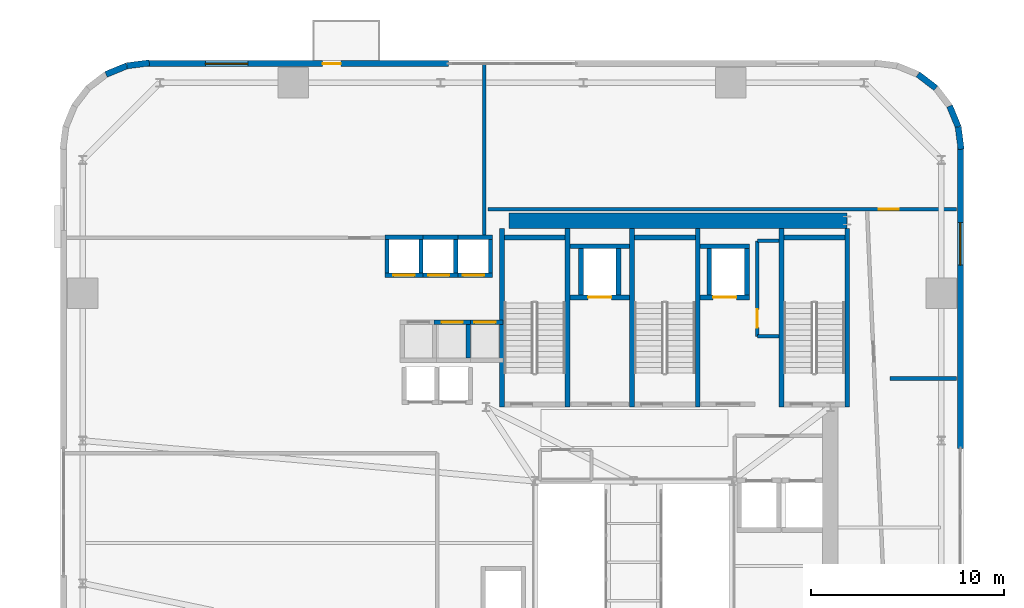
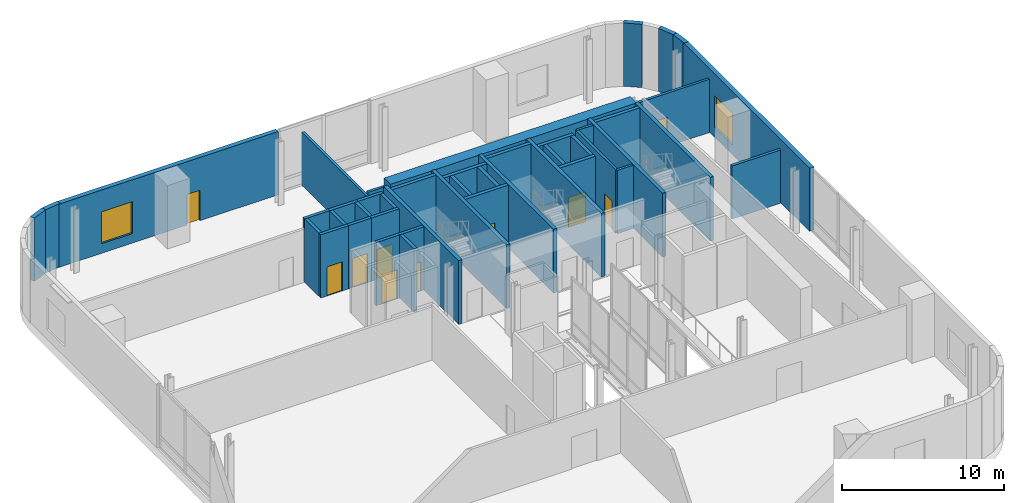
# One storey, part 9 of 13: 44 walls, 10 doors, 2 windows, 12 openings.
"""IFC4 building model written with IfcOpenShell, lengths in metres."""

from ifc_helpers import new_model, si_unit, direction, frame, frame_2d, origin, place, context, subcontext, project, spatial, rectangle, extrude, source, transform, mapped, material, layer, layer_set, type_object, element, fill, save


model = new_model("IFC4")

# Units and contexts
model_context = context("Model", 3, precision=1e-05, world=origin(), true_north=direction((0.0, 1.0)))
body_context = subcontext(model_context, "Body", "Model", "MODEL_VIEW")
ifc_project = project(units=[si_unit("LENGTHUNIT", "METRE"), si_unit("AREAUNIT", "SQUARE_METRE"), si_unit("VOLUMEUNIT", "CUBIC_METRE"), si_unit("PLANEANGLEUNIT", "RADIAN"), si_unit("MASSUNIT", "GRAM", prefix="KILO")], contexts=[model_context])

# Site, building, storey
site_placement = place(None, origin())
site = spatial("IfcSite", under=ifc_project, at=site_placement, CompositionType="ELEMENT")
building_placement = place(site_placement, origin())
building = spatial("IfcBuilding", under=site, at=building_placement, Name="Vardaveli Station Tower", CompositionType="ELEMENT")
storey_placement = place(building_placement, frame((0.0, 0.0, 98.699951171875)))
storey = spatial("IfcBuildingStorey", under=building, at=storey_placement, Name="L25", CompositionType="ELEMENT", Elevation=98.699951171875)

# Wall
ifc_material_1 = material(Name="Concrete C50/60", Category="concrete")
ifc_layer_1 = layer(ifc_material_1, 0.800048828125, Name="Concrete C50/60")
ifc_layer_set_1 = layer_set([ifc_layer_1], Name="Concrete C50/60")
wall_type_1 = type_object("IfcWallType", Name="WAL-CORE-800", PredefinedType="SHEAR", material=ifc_layer_set_1)
shared_shape_1 = source(origin(), body_context, "Body", "SweptSolid", [
    extrude(rectangle(XDim=17.52001953125, YDim=0.800048828125, at=frame_2d((8.760009765625, 0.0))), origin(), (0.0, 0.0, 1.0), 4.760009765625),
])
wall_1_placement = place(storey_placement, frame((29.85009765625, 40.300048828125, 0.0), z_axis=(0.0, 0.0, 1.0), x_axis=(1.0, 0.0, 0.0)))
element("IfcWall", 1, at=wall_1_placement, inside=storey, type_object=wall_type_1, Name="SW-L25-NORTH", PredefinedType="SHEAR", context=body_context, shape_type="MappedRepresentation", body=[
    mapped(shared_shape_1, transform((0.0, 0.0, 0.0), scale=1.0)),
])

# Wall, openings, window, door
ifc_material_2 = material(Name="Precast concrete C45/55", Category="concrete")
ifc_layer_2 = layer(ifc_material_2, 0.320068359375, Name="Precast concrete C45/55")
ifc_layer_set_2 = layer_set([ifc_layer_2], Name="Precast concrete C45/55")
wall_type_2 = type_object("IfcWallType", Name="WAL-EXT-STONE-320", PredefinedType="SOLIDWALL", material=ifc_layer_set_2)
shared_shape_2 = source(origin(), body_context, "Body", "SweptSolid", [
    extrude(rectangle(XDim=15.599853515625, YDim=0.320068359375, at=frame_2d((7.7998046875, 0.0))), origin(), (0.0, 0.0, 1.0), 4.760009765625),
])
wall_2_placement = place(storey_placement, frame((26.699951171875, 48.43994140625, 0.0), z_axis=(0.0, 0.0, 1.0), x_axis=(-1.0, 0.0, 0.0)))
wall_2 = element("IfcWall", 2, at=wall_2_placement, inside=storey, type_object=wall_type_2, Name="EW-L25-N2", PredefinedType="SOLIDWALL", context=body_context, shape_type="MappedRepresentation", body=[
    mapped(shared_shape_2, transform((0.0, 0.0, 0.0), scale=1.0)),
])
shared_shape_3 = source(origin(), body_context, "Body", "SweptSolid", [
    extrude(rectangle(XDim=0.949951171875, YDim=2.300048828125, at=frame_2d((0.47509765625, 1.14990234375))), frame((0.0, 0.169921875, 0.0), z_axis=(0.0, -1.0, 0.0), x_axis=(1.0, 0.0, 0.0)), (0.0, 0.0, 1.0), 0.340087890625),
])
opening_1_placement = place(wall_2_placement, frame((5.564697265625, 0.0, 0.0)))
opening_1 = element("IfcOpeningElement", 3, at=opening_1_placement, cuts=wall_2, Name="Opening D-10", PredefinedType="OPENING", context=body_context, shape_type="MappedRepresentation", body=[
    mapped(shared_shape_3, transform((0.0, 0.0, 0.0), scale=1.0)),
])
shared_shape_4 = source(origin(), body_context, "Body", "SweptSolid", [
    extrude(rectangle(XDim=2.199951171875, YDim=2.39990234375, at=frame_2d((1.10009765625, 1.199951171875))), frame((0.0, 0.169921875, 0.0), z_axis=(0.0, -1.0, 0.0), x_axis=(1.0, 0.0, 0.0)), (0.0, 0.0, 1.0), 0.340087890625),
])
opening_2_placement = place(wall_2_placement, frame((10.39501953125, 0.0, 0.719970703125)))
opening_2 = element("IfcOpeningElement", 4, at=opening_2_placement, cuts=wall_2, Name="Opening W-03", PredefinedType="OPENING", context=body_context, shape_type="MappedRepresentation", body=[
    mapped(shared_shape_4, transform((0.0, 0.0, 0.0), scale=1.0)),
])
ifc_material_3 = material(Name="Low-E solar-control glass", Category="glass")
window_type = type_object("IfcWindowType", Name="WIN-LOG-2200x2400", PartitioningType="SINGLE_PANEL", PredefinedType="WINDOW", material=ifc_material_3)
shared_shape_5 = source(origin(), body_context, "Body", "SweptSolid", [
    extrude(rectangle(XDim=2.199951171875, YDim=2.39990234375, at=frame_2d((1.10009765625, 1.199951171875))), frame((0.0, 0.030029296875, 0.0), z_axis=(0.0, -1.0, 0.0), x_axis=(1.0, 0.0, 0.0)), (0.0, 0.0, 1.0), 0.06005859375),
])
window_1_placement = place(opening_2_placement, origin())
window_1 = element("IfcWindow", 5, at=window_1_placement, inside=storey, type_object=window_type, Name="WN-L25-N2", OverallHeight=2.39990234375, OverallWidth=2.199951171875, PartitioningType="SINGLE_PANEL", PredefinedType="WINDOW", context=body_context, shape_type="MappedRepresentation", body=[
    mapped(shared_shape_5, transform((0.0, 0.0, 0.0), scale=1.0)),
])
fill(opening_2, window_1)
ifc_material_4 = material(Name="Thermally broken aluminium glass", Category="aluminium")
door_type_1 = type_object("IfcDoorType", Name="DR-LOG-950x2300", OperationType="NOTDEFINED", PredefinedType="DOOR", material=ifc_material_4)
shared_shape_6 = source(origin(), body_context, "Body", "SweptSolid", [
    extrude(rectangle(XDim=0.949951171875, YDim=2.300048828125, at=frame_2d((0.47509765625, 1.14990234375))), frame((0.0, 0.02490234375, 0.0), z_axis=(0.0, -1.0, 0.0), x_axis=(1.0, 0.0, 0.0)), (0.0, 0.0, 1.0), 0.050048828125),
])
door_1_placement = place(opening_1_placement, frame((0.949951171875, 0.0, 0.0), z_axis=(0.0, 0.0, 1.0), x_axis=(-1.0, 0.0, 0.0)))
door_1 = element("IfcDoor", 6, at=door_1_placement, inside=storey, type_object=door_type_1, Name="DLG-L25-N", OperationType="NOTDEFINED", OverallHeight=2.300048828125, OverallWidth=0.949951171875, PredefinedType="DOOR", context=body_context, shape_type="MappedRepresentation", body=[
    mapped(shared_shape_6, transform((0.0, 0.0, 0.0), scale=1.0)),
])
fill(opening_1, door_1)

# Wall, opening, window
shared_shape_7 = source(origin(), body_context, "Body", "SweptSolid", [
    extrude(rectangle(XDim=15.60009765625, YDim=0.320068359375, at=frame_2d((7.800048828125, 0.0))), origin(), (0.0, 0.0, 1.0), 4.760009765625),
])
wall_3_placement = place(storey_placement, frame((53.239990234375, 28.5, 0.0), z_axis=(0.0, 0.0, 1.0), x_axis=(0.0, 1.0, 0.0)))
wall_3 = element("IfcWall", 7, at=wall_3_placement, inside=storey, type_object=wall_type_2, Name="EW-L25-E2", PredefinedType="SOLIDWALL", context=body_context, shape_type="MappedRepresentation", body=[
    mapped(shared_shape_7, transform((0.0, 0.0, 0.0), scale=1.0)),
])
opening_3_placement = place(wall_3_placement, frame((9.4951171875, 0.0, 0.719970703125)))
opening_3 = element("IfcOpeningElement", 8, at=opening_3_placement, cuts=wall_3, Name="Opening W-03", PredefinedType="OPENING", context=body_context, shape_type="MappedRepresentation", body=[
    mapped(shared_shape_4, transform((0.0, 0.0, 0.0), scale=1.0)),
])
window_2_placement = place(opening_3_placement, origin())
window_2 = element("IfcWindow", 9, at=window_2_placement, inside=storey, type_object=window_type, Name="WN-L25-E2", OverallHeight=2.39990234375, OverallWidth=2.199951171875, PartitioningType="SINGLE_PANEL", PredefinedType="WINDOW", context=body_context, shape_type="MappedRepresentation", body=[
    mapped(shared_shape_5, transform((0.0, 0.0, 0.0), scale=1.0)),
])
fill(opening_3, window_2)

# Walls
shared_shape_8 = source(origin(), body_context, "Body", "SweptSolid", [
    extrude(rectangle(XDim=1.168701171875, YDim=0.320068359375, at=frame_2d((0.58447265625, 0.0))), origin(), (0.0, 0.0, 1.0), 4.760009765625),
])
wall_4_placement = place(storey_placement, frame((51.96875, 47.1689453125, 0.0), z_axis=(0.0, 0.0, 1.0), x_axis=(-0.793663520347, 0.608356981114, 0.0)))
element("IfcWall", 10, at=wall_4_placement, inside=storey, type_object=wall_type_2, Name="EW-L25-CR3-4", PredefinedType="SOLIDWALL", context=body_context, shape_type="MappedRepresentation", body=[
    mapped(shared_shape_8, transform((0.0, 0.0, 0.0), scale=1.0)),
])
shared_shape_9 = source(origin(), body_context, "Body", "SweptSolid", [
    extrude(rectangle(XDim=1.17041015625, YDim=0.320068359375, at=frame_2d((0.585205078125, 0.0))), origin(), (0.0, 0.0, 1.0), 4.760009765625),
])
for number, where, z_axis, x_axis, name in (
    (11, (53.275634765625, 43.99951171875, 0.0), (0.0, 0.0, 1.0), (-0.128295670475, 0.991735963317, 0.0), "EW-L25-CR3-1"),
    (12, (11.200439453125, 48.4755859375, 0.0), (0.0, 0.0, 1.0), (-0.991735963317, -0.128295670475, 0.0), "EW-L25-CR4-1"),
):
    element("IfcWall", number, at=place(storey_placement, frame(where, z_axis=z_axis, x_axis=x_axis)), inside=storey, type_object=wall_type_2, Name=name, PredefinedType="SOLIDWALL", context=body_context, shape_type="MappedRepresentation", body=[
        mapped(shared_shape_9, transform((0.0, 0.0, 0.0), scale=1.0)),
    ])
shared_shape_10 = source(origin(), body_context, "Body", "SweptSolid", [
    extrude(rectangle(XDim=1.169189453125, YDim=0.320068359375, at=frame_2d((0.58447265625, 0.0))), origin(), (0.0, 0.0, 1.0), 4.760009765625),
])
for number, where, z_axis, x_axis, name in (
    (13, (53.12548828125, 45.16015625, 0.0), (0.0, 0.0, 1.0), (-0.381054331552, 0.924552646638, 0.0), "EW-L25-CR3-2"),
    (14, (10.039794921875, 48.325439453125, 0.0), (0.0, 0.0, 1.0), (-0.924552646638, -0.381054331552, 0.0), "EW-L25-CR4-2"),
):
    element("IfcWall", number, at=place(storey_placement, frame(where, z_axis=z_axis, x_axis=x_axis)), inside=storey, type_object=wall_type_2, Name=name, PredefinedType="SOLIDWALL", context=body_context, shape_type="MappedRepresentation", body=[
        mapped(shared_shape_10, transform((0.0, 0.0, 0.0), scale=1.0)),
    ])
ifc_material_5 = material(Name="Concrete C40/50", Category="concrete")
ifc_layer_3 = layer(ifc_material_5, 0.25, Name="Concrete C40/50")
ifc_layer_set_3 = layer_set([ifc_layer_3], Name="Concrete C40/50")
wall_type_3 = type_object("IfcWallType", Name="WAL-SHAFT-250", PredefinedType="SOLIDWALL", material=ifc_layer_set_3)
shared_shape_11 = source(origin(), body_context, "Body", "SweptSolid", [
    extrude(rectangle(XDim=9.25, YDim=0.25, at=frame_2d((4.625, 0.0))), origin(), (0.0, 0.0, 1.0), 4.800048828125),
])
for number, where, z_axis, x_axis, name in (
    (15, (29.47509765625, 30.64990234375, 0.0), (0.0, 0.0, 1.0), (0.0, 1.0, 0.0), "W-L25-ST-1W"),
    (16, (32.875, 30.64990234375, 0.0), (0.0, 0.0, 1.0), (0.0, 1.0, 0.0), "W-L25-ST-1E"),
    (17, (36.22509765625, 30.64990234375, 0.0), (0.0, 0.0, 1.0), (0.0, 1.0, 0.0), "W-L25-ST-2W"),
    (18, (39.625, 30.64990234375, 0.0), (0.0, 0.0, 1.0), (0.0, 1.0, 0.0), "W-L25-ST-2E"),
    (19, (43.97509765625, 30.64990234375, 0.0), (0.0, 0.0, 1.0), (0.0, 1.0, 0.0), "W-L25-ST-3W"),
    (20, (47.375, 30.64990234375, 0.0), (0.0, 0.0, 1.0), (0.0, 1.0, 0.0), "W-L25-ST-3E"),
):
    element("IfcWall", number, at=place(storey_placement, frame(where, z_axis=z_axis, x_axis=x_axis)), inside=storey, type_object=wall_type_3, Name=name, PredefinedType="SOLIDWALL", context=body_context, shape_type="MappedRepresentation", body=[
        mapped(shared_shape_11, transform((0.0, 0.0, 0.0), scale=1.0)),
    ])
shared_shape_12 = source(origin(), body_context, "Body", "SweptSolid", [
    extrude(rectangle(XDim=3.14990234375, YDim=0.25, at=frame_2d((1.574951171875, 0.0))), origin(), (0.0, 0.0, 1.0), 4.800048828125),
])
for number, where, z_axis, x_axis, name in (
    (21, (29.60009765625, 39.425048828125, 0.0), (0.0, 0.0, 1.0), (1.0, 0.0, 0.0), "W-L25-ST-1N"),
    (22, (36.35009765625, 39.425048828125, 0.0), (0.0, 0.0, 1.0), (1.0, 0.0, 0.0), "W-L25-ST-2N"),
    (23, (44.10009765625, 39.425048828125, 0.0), (0.0, 0.0, 1.0), (1.0, 0.0, 0.0), "W-L25-ST-3N"),
):
    element("IfcWall", number, at=place(storey_placement, frame(where, z_axis=z_axis, x_axis=x_axis)), inside=storey, type_object=wall_type_3, Name=name, PredefinedType="SOLIDWALL", context=body_context, shape_type="MappedRepresentation", body=[
        mapped(shared_shape_12, transform((0.0, 0.0, 0.0), scale=1.0)),
    ])

# Wall, opening, door
ifc_layer_4 = layer(ifc_material_5, 0.219970703125, Name="Concrete C40/50")
ifc_layer_set_4 = layer_set([ifc_layer_4], Name="Concrete C40/50")
wall_type_4 = type_object("IfcWallType", Name="WAL-FFLOBBY-220", PredefinedType="SOLIDWALL", material=ifc_layer_set_4)
shared_shape_13 = source(origin(), body_context, "Body", "SweptSolid", [
    extrude(rectangle(XDim=1.989990234375, YDim=0.219970703125, at=frame_2d((0.9951171875, 0.0))), origin(), (0.0, 0.0, 1.0), 4.760009765625),
])
wall_5_placement = place(storey_placement, frame((23.405029296875, 37.465087890625, 0.0), z_axis=(0.0, 0.0, 1.0), x_axis=(1.0, 0.0, 0.0)))
wall_5 = element("IfcWall", 24, at=wall_5_placement, inside=storey, type_object=wall_type_4, Name="SHW-HL1-01-L25-S", PredefinedType="SOLIDWALL", context=body_context, shape_type="MappedRepresentation", body=[
    mapped(shared_shape_13, transform((0.0, 0.0, 0.0), scale=1.0)),
])
shared_shape_14 = source(origin(), body_context, "Body", "SweptSolid", [
    extrude(rectangle(XDim=1.10009765625, YDim=2.199951171875, at=frame_2d((0.550048828125, 1.10009765625))), frame((0.0, 0.1201171875, 0.0), z_axis=(0.0, -1.0, 0.0), x_axis=(1.0, 0.0, 0.0)), (0.0, 0.0, 1.0), 0.239990234375),
])
opening_4_placement = place(wall_5_placement, frame((0.445068359375, 0.0, 0.0)))
opening_4 = element("IfcOpeningElement", 25, at=opening_4_placement, cuts=wall_5, Name="Opening LD-01", PredefinedType="OPENING", context=body_context, shape_type="MappedRepresentation", body=[
    mapped(shared_shape_14, transform((0.0, 0.0, 0.0), scale=1.0)),
])
ifc_material_6 = material(Name="Brushed stainless steel", Category="steel")
door_type_2 = type_object("IfcDoorType", Name="DR-LD-1100x2200", OperationType="DOUBLE_DOOR_SLIDING", PredefinedType="DOOR", material=ifc_material_6)
shared_shape_15 = source(origin(), body_context, "Body", "SweptSolid", [
    extrude(rectangle(XDim=1.10009765625, YDim=2.199951171875, at=frame_2d((0.550048828125, 1.10009765625))), frame((0.0, 0.02490234375, 0.0), z_axis=(0.0, -1.0, 0.0), x_axis=(1.0, 0.0, 0.0)), (0.0, 0.0, 1.0), 0.050048828125),
])
door_2_placement = place(opening_4_placement, origin())
door_2 = element("IfcDoor", 26, at=door_2_placement, inside=storey, type_object=door_type_2, Name="LD-HL1-01-L25", OperationType="DOUBLE_DOOR_SLIDING", OverallHeight=2.199951171875, OverallWidth=1.10009765625, PredefinedType="DOOR", context=body_context, shape_type="MappedRepresentation", body=[
    mapped(shared_shape_15, transform((0.0, 0.0, 0.0), scale=1.0)),
])
fill(opening_4, door_2)

# Wall
wall_6_placement = place(storey_placement, frame((23.405029296875, 39.43505859375, 0.0), z_axis=(0.0, 0.0, 1.0), x_axis=(1.0, 0.0, 0.0)))
element("IfcWall", 27, at=wall_6_placement, inside=storey, type_object=wall_type_4, Name="SHW-HL1-01-L25-N", PredefinedType="SOLIDWALL", context=body_context, shape_type="MappedRepresentation", body=[
    mapped(shared_shape_13, transform((0.0, 0.0, 0.0), scale=1.0)),
])

# Wall, opening, door
wall_7_placement = place(storey_placement, frame((25.205078125, 37.465087890625, 0.0), z_axis=(0.0, 0.0, 1.0), x_axis=(1.0, 0.0, 0.0)))
wall_7 = element("IfcWall", 28, at=wall_7_placement, inside=storey, type_object=wall_type_4, Name="SHW-HL1-02-L25-S", PredefinedType="SOLIDWALL", context=body_context, shape_type="MappedRepresentation", body=[
    mapped(shared_shape_13, transform((0.0, 0.0, 0.0), scale=1.0)),
])
opening_5_placement = place(wall_7_placement, frame((0.445068359375, 0.0, 0.0)))
opening_5 = element("IfcOpeningElement", 29, at=opening_5_placement, cuts=wall_7, Name="Opening LD-01", PredefinedType="OPENING", context=body_context, shape_type="MappedRepresentation", body=[
    mapped(shared_shape_14, transform((0.0, 0.0, 0.0), scale=1.0)),
])
door_3_placement = place(opening_5_placement, origin())
door_3 = element("IfcDoor", 30, at=door_3_placement, inside=storey, type_object=door_type_2, Name="LD-HL1-02-L25", OperationType="DOUBLE_DOOR_SLIDING", OverallHeight=2.199951171875, OverallWidth=1.10009765625, PredefinedType="DOOR", context=body_context, shape_type="MappedRepresentation", body=[
    mapped(shared_shape_15, transform((0.0, 0.0, 0.0), scale=1.0)),
])
fill(opening_5, door_3)

# Walls
wall_8_placement = place(storey_placement, frame((25.205078125, 39.43505859375, 0.0), z_axis=(0.0, 0.0, 1.0), x_axis=(1.0, 0.0, 0.0)))
element("IfcWall", 31, at=wall_8_placement, inside=storey, type_object=wall_type_4, Name="SHW-HL1-02-L25-N", PredefinedType="SOLIDWALL", context=body_context, shape_type="MappedRepresentation", body=[
    mapped(shared_shape_13, transform((0.0, 0.0, 0.0), scale=1.0)),
])
shared_shape_16 = source(origin(), body_context, "Body", "SweptSolid", [
    extrude(rectangle(XDim=1.75, YDim=0.219970703125, at=frame_2d((0.875, 0.0))), origin(), (0.0, 0.0, 1.0), 4.760009765625),
])
for number, where, z_axis, x_axis, name in (
    (32, (23.514892578125, 37.574951171875, 0.0), (0.0, 0.0, 1.0), (0.0, 1.0, 0.0), "SHW-HL1-01-L25-W"),
    (33, (25.284912109375, 37.574951171875, 0.0), (0.0, 0.0, 1.0), (0.0, 1.0, 0.0), "SHW-HL1-01-L25-E"),
    (34, (27.0849609375, 37.574951171875, 0.0), (0.0, 0.0, 1.0), (0.0, 1.0, 0.0), "SHW-HL1-02-L25-E"),
    (35, (28.885009765625, 37.574951171875, 0.0), (0.0, 0.0, 1.0), (0.0, 1.0, 0.0), "SHW-HL1-03-L25-E"),
    (36, (27.735107421875, 33.175048828125, 0.0), (0.0, 0.0, 1.0), (0.0, 1.0, 0.0), "SHW-HL2-02-L25-E"),
):
    element("IfcWall", number, at=place(storey_placement, frame(where, z_axis=z_axis, x_axis=x_axis)), inside=storey, type_object=wall_type_4, Name=name, PredefinedType="SOLIDWALL", context=body_context, shape_type="MappedRepresentation", body=[
        mapped(shared_shape_16, transform((0.0, 0.0, 0.0), scale=1.0)),
    ])

# Wall, opening, door
shared_shape_17 = source(origin(), body_context, "Body", "SweptSolid", [
    extrude(rectangle(XDim=1.990234375, YDim=0.219970703125, at=frame_2d((0.9951171875, 0.0))), origin(), (0.0, 0.0, 1.0), 4.760009765625),
])
wall_9_placement = place(storey_placement, frame((27.0048828125, 37.465087890625, 0.0), z_axis=(0.0, 0.0, 1.0), x_axis=(1.0, 0.0, 0.0)))
wall_9 = element("IfcWall", 37, at=wall_9_placement, inside=storey, type_object=wall_type_4, Name="SHW-HL1-03-L25-S", PredefinedType="SOLIDWALL", context=body_context, shape_type="MappedRepresentation", body=[
    mapped(shared_shape_17, transform((0.0, 0.0, 0.0), scale=1.0)),
])
opening_6_placement = place(wall_9_placement, frame((0.445068359375, 0.0, 0.0)))
opening_6 = element("IfcOpeningElement", 38, at=opening_6_placement, cuts=wall_9, Name="Opening LD-01", PredefinedType="OPENING", context=body_context, shape_type="MappedRepresentation", body=[
    mapped(shared_shape_14, transform((0.0, 0.0, 0.0), scale=1.0)),
])
door_4_placement = place(opening_6_placement, origin())
door_4 = element("IfcDoor", 39, at=door_4_placement, inside=storey, type_object=door_type_2, Name="LD-HL1-03-L25", OperationType="DOUBLE_DOOR_SLIDING", OverallHeight=2.199951171875, OverallWidth=1.10009765625, PredefinedType="DOOR", context=body_context, shape_type="MappedRepresentation", body=[
    mapped(shared_shape_15, transform((0.0, 0.0, 0.0), scale=1.0)),
])
fill(opening_6, door_4)

# Wall
wall_10_placement = place(storey_placement, frame((27.0048828125, 39.43505859375, 0.0), z_axis=(0.0, 0.0, 1.0), x_axis=(1.0, 0.0, 0.0)))
element("IfcWall", 40, at=wall_10_placement, inside=storey, type_object=wall_type_4, Name="SHW-HL1-03-L25-N", PredefinedType="SOLIDWALL", context=body_context, shape_type="MappedRepresentation", body=[
    mapped(shared_shape_17, transform((0.0, 0.0, 0.0), scale=1.0)),
])

# Wall, opening, door
shared_shape_18 = source(origin(), body_context, "Body", "SweptSolid", [
    extrude(rectangle(XDim=1.889892578125, YDim=0.219970703125, at=frame_2d((0.94482421875, 0.0))), origin(), (0.0, 0.0, 1.0), 4.760009765625),
])
wall_11_placement = place(storey_placement, frame((25.955078125, 35.034912109375, 0.0), z_axis=(0.0, 0.0, 1.0), x_axis=(1.0, 0.0, 0.0)))
wall_11 = element("IfcWall", 41, at=wall_11_placement, inside=storey, type_object=wall_type_4, Name="SHW-HL2-02-L25-N", PredefinedType="SOLIDWALL", context=body_context, shape_type="MappedRepresentation", body=[
    mapped(shared_shape_18, transform((0.0, 0.0, 0.0), scale=1.0)),
])
opening_7_placement = place(wall_11_placement, frame((0.39501953125, 0.0, 0.0)))
opening_7 = element("IfcOpeningElement", 42, at=opening_7_placement, cuts=wall_11, Name="Opening LD-01", PredefinedType="OPENING", context=body_context, shape_type="MappedRepresentation", body=[
    mapped(shared_shape_14, transform((0.0, 0.0, 0.0), scale=1.0)),
])
door_5_placement = place(opening_7_placement, origin())
door_5 = element("IfcDoor", 43, at=door_5_placement, inside=storey, type_object=door_type_2, Name="LD-HL2-02-L25", OperationType="DOUBLE_DOOR_SLIDING", OverallHeight=2.199951171875, OverallWidth=1.10009765625, PredefinedType="DOOR", context=body_context, shape_type="MappedRepresentation", body=[
    mapped(shared_shape_15, transform((0.0, 0.0, 0.0), scale=1.0)),
])
fill(opening_7, door_5)

wall_12_placement = place(storey_placement, frame((27.655029296875, 35.034912109375, 0.0), z_axis=(0.0, 0.0, 1.0), x_axis=(1.0, 0.0, 0.0)))
wall_12 = element("IfcWall", 44, at=wall_12_placement, inside=storey, type_object=wall_type_4, Name="SHW-HL2-03-L25-N", PredefinedType="SOLIDWALL", context=body_context, shape_type="MappedRepresentation", body=[
    mapped(shared_shape_18, transform((0.0, 0.0, 0.0), scale=1.0)),
])
opening_8_placement = place(wall_12_placement, frame((0.39501953125, 0.0, 0.0)))
opening_8 = element("IfcOpeningElement", 45, at=opening_8_placement, cuts=wall_12, Name="Opening LD-01", PredefinedType="OPENING", context=body_context, shape_type="MappedRepresentation", body=[
    mapped(shared_shape_14, transform((0.0, 0.0, 0.0), scale=1.0)),
])
door_6_placement = place(opening_8_placement, origin())
door_6 = element("IfcDoor", 46, at=door_6_placement, inside=storey, type_object=door_type_2, Name="LD-HL2-03-L25", OperationType="DOUBLE_DOOR_SLIDING", OverallHeight=2.199951171875, OverallWidth=1.10009765625, PredefinedType="DOOR", context=body_context, shape_type="MappedRepresentation", body=[
    mapped(shared_shape_15, transform((0.0, 0.0, 0.0), scale=1.0)),
])
fill(opening_8, door_6)

shared_shape_19 = source(origin(), body_context, "Body", "SweptSolid", [
    extrude(rectangle(XDim=3.10009765625, YDim=0.25, at=frame_2d((1.550048828125, 0.0))), origin(), (0.0, 0.0, 1.0), 4.760009765625),
])
wall_13_placement = place(storey_placement, frame((33.0, 36.324951171875, 0.0), z_axis=(0.0, 0.0, 1.0), x_axis=(1.0, 0.0, 0.0)))
wall_13 = element("IfcWall", 47, at=wall_13_placement, inside=storey, type_object=wall_type_3, Name="SHW-FFL-01-L25-S", PredefinedType="SOLIDWALL", context=body_context, shape_type="MappedRepresentation", body=[
    mapped(shared_shape_19, transform((0.0, 0.0, 0.0), scale=1.0)),
])
shared_shape_20 = source(origin(), body_context, "Body", "SweptSolid", [
    extrude(rectangle(XDim=1.199951171875, YDim=2.25, at=frame_2d((0.60009765625, 1.125))), frame((0.0, 0.135009765625, 0.0), z_axis=(0.0, -1.0, 0.0), x_axis=(1.0, 0.0, 0.0)), (0.0, 0.0, 1.0), 0.27001953125),
])
opening_9_placement = place(wall_13_placement, frame((0.949951171875, 0.0, 0.0)))
opening_9 = element("IfcOpeningElement", 48, at=opening_9_placement, cuts=wall_13, Name="Opening LD-02", PredefinedType="OPENING", context=body_context, shape_type="MappedRepresentation", body=[
    mapped(shared_shape_20, transform((0.0, 0.0, 0.0), scale=1.0)),
])
door_type_3 = type_object("IfcDoorType", Name="DR-LD-1200x2250", OperationType="DOUBLE_DOOR_SLIDING", PredefinedType="DOOR", material=ifc_material_6)
shared_shape_21 = source(origin(), body_context, "Body", "SweptSolid", [
    extrude(rectangle(XDim=1.199951171875, YDim=2.25, at=frame_2d((0.60009765625, 1.125))), frame((0.0, 0.02490234375, 0.0), z_axis=(0.0, -1.0, 0.0), x_axis=(1.0, 0.0, 0.0)), (0.0, 0.0, 1.0), 0.050048828125),
])
door_7_placement = place(opening_9_placement, origin())
door_7 = element("IfcDoor", 49, at=door_7_placement, inside=storey, type_object=door_type_3, Name="LD-FFL-01-L25", OperationType="DOUBLE_DOOR_SLIDING", OverallHeight=2.25, OverallWidth=1.199951171875, PredefinedType="DOOR", context=body_context, shape_type="MappedRepresentation", body=[
    mapped(shared_shape_21, transform((0.0, 0.0, 0.0), scale=1.0)),
])
fill(opening_9, door_7)

# Walls
wall_14_placement = place(storey_placement, frame((33.0, 38.97509765625, 0.0), z_axis=(0.0, 0.0, 1.0), x_axis=(1.0, 0.0, 0.0)))
element("IfcWall", 50, at=wall_14_placement, inside=storey, type_object=wall_type_3, Name="SHW-FFL-01-L25-N", PredefinedType="SOLIDWALL", context=body_context, shape_type="MappedRepresentation", body=[
    mapped(shared_shape_19, transform((0.0, 0.0, 0.0), scale=1.0)),
])
shared_shape_22 = source(origin(), body_context, "Body", "SweptSolid", [
    extrude(rectangle(XDim=2.400146484375, YDim=0.25, at=frame_2d((1.2001953125, 0.0))), origin(), (0.0, 0.0, 1.0), 4.760009765625),
])
for number, where, z_axis, x_axis, name in (
    (51, (33.574951171875, 36.449951171875, 0.0), (0.0, 0.0, 1.0), (0.0, 1.0, 0.0), "SHW-FFL-01-L25-W"),
    (52, (35.52490234375, 36.449951171875, 0.0), (0.0, 0.0, 1.0), (0.0, 1.0, 0.0), "SHW-FFL-01-L25-E"),
    (53, (40.22509765625, 36.449951171875, 0.0), (0.0, 0.0, 1.0), (0.0, 1.0, 0.0), "SHW-FFL-02-L25-W"),
    (54, (42.175048828125, 36.449951171875, 0.0), (0.0, 0.0, 1.0), (0.0, 1.0, 0.0), "SHW-FFL-02-L25-E"),
):
    element("IfcWall", number, at=place(storey_placement, frame(where, z_axis=z_axis, x_axis=x_axis)), inside=storey, type_object=wall_type_3, Name=name, PredefinedType="SOLIDWALL", context=body_context, shape_type="MappedRepresentation", body=[
        mapped(shared_shape_22, transform((0.0, 0.0, 0.0), scale=1.0)),
    ])

# Wall, opening, door
shared_shape_23 = source(origin(), body_context, "Body", "SweptSolid", [
    extrude(rectangle(XDim=2.550048828125, YDim=0.25, at=frame_2d((1.27490234375, 0.0))), origin(), (0.0, 0.0, 1.0), 4.760009765625),
])
wall_15_placement = place(storey_placement, frame((39.75, 36.324951171875, 0.0), z_axis=(0.0, 0.0, 1.0), x_axis=(1.0, 0.0, 0.0)))
wall_15 = element("IfcWall", 55, at=wall_15_placement, inside=storey, type_object=wall_type_3, Name="SHW-FFL-02-L25-S", PredefinedType="SOLIDWALL", context=body_context, shape_type="MappedRepresentation", body=[
    mapped(shared_shape_23, transform((0.0, 0.0, 0.0), scale=1.0)),
])
opening_10_placement = place(wall_15_placement, frame((0.675048828125, 0.0, 0.0)))
opening_10 = element("IfcOpeningElement", 56, at=opening_10_placement, cuts=wall_15, Name="Opening LD-02", PredefinedType="OPENING", context=body_context, shape_type="MappedRepresentation", body=[
    mapped(shared_shape_20, transform((0.0, 0.0, 0.0), scale=1.0)),
])
door_8_placement = place(opening_10_placement, origin())
door_8 = element("IfcDoor", 57, at=door_8_placement, inside=storey, type_object=door_type_3, Name="LD-FFL-02-L25", OperationType="DOUBLE_DOOR_SLIDING", OverallHeight=2.25, OverallWidth=1.199951171875, PredefinedType="DOOR", context=body_context, shape_type="MappedRepresentation", body=[
    mapped(shared_shape_21, transform((0.0, 0.0, 0.0), scale=1.0)),
])
fill(opening_10, door_8)

# Wall
wall_16_placement = place(storey_placement, frame((39.75, 38.97509765625, 0.0), z_axis=(0.0, 0.0, 1.0), x_axis=(1.0, 0.0, 0.0)))
element("IfcWall", 58, at=wall_16_placement, inside=storey, type_object=wall_type_3, Name="SHW-FFL-02-L25-N", PredefinedType="SOLIDWALL", context=body_context, shape_type="MappedRepresentation", body=[
    mapped(shared_shape_23, transform((0.0, 0.0, 0.0), scale=1.0)),
])

# Wall, opening, door
ifc_material_7 = material(Name="Fire-rated gypsum stud partition")
ifc_layer_5 = layer(ifc_material_7, 0.179931640625, Name="Fire-rated gypsum stud partition")
ifc_layer_set_5 = layer_set([ifc_layer_5], Name="Fire-rated gypsum stud partition")
wall_type_5 = type_object("IfcWallType", Name="WAL-CORR-180", PredefinedType="PARTITIONING", material=ifc_layer_set_5)
shared_shape_24 = source(origin(), body_context, "Body", "SweptSolid", [
    extrude(rectangle(XDim=24.300048828125, YDim=0.179931640625, at=frame_2d((12.14990234375, 0.0))), origin(), (0.0, 0.0, 1.0), 4.001953125),
])
wall_17_placement = place(storey_placement, frame((28.75, 40.8798828125, 0.0), z_axis=(0.0, 0.0, 1.0), x_axis=(1.0, 0.0, 0.0)))
wall_17 = element("IfcWall", 59, at=wall_17_placement, inside=storey, type_object=wall_type_5, Name="W-L25-NPS", PredefinedType="PARTITIONING", context=body_context, shape_type="MappedRepresentation", body=[
    mapped(shared_shape_24, transform((0.0, 0.0, 0.0), scale=1.0)),
])
shared_shape_25 = source(origin(), body_context, "Body", "SweptSolid", [
    extrude(rectangle(XDim=1.050048828125, YDim=2.199951171875, at=frame_2d((0.52490234375, 1.10009765625))), frame((0.0, 0.10009765625, 0.0), z_axis=(0.0, -1.0, 0.0), x_axis=(1.0, 0.0, 0.0)), (0.0, 0.0, 1.0), 0.199951171875),
])
opening_11_placement = place(wall_17_placement, frame((20.25, 0.0, 0.0)))
opening_11 = element("IfcOpeningElement", 60, at=opening_11_placement, cuts=wall_17, Name="Opening D-05", PredefinedType="OPENING", context=body_context, shape_type="MappedRepresentation", body=[
    mapped(shared_shape_25, transform((0.0, 0.0, 0.0), scale=1.0)),
])
ifc_material_8 = material(Name="Walnut veneer acoustic fire door")
door_type_4 = type_object("IfcDoorType", Name="DR-SUITE-1050x2200", OperationType="NOTDEFINED", PredefinedType="DOOR", material=ifc_material_8)
shared_shape_26 = source(origin(), body_context, "Body", "SweptSolid", [
    extrude(rectangle(XDim=1.050048828125, YDim=2.199951171875, at=frame_2d((0.52490234375, 1.10009765625))), frame((0.0, 0.02490234375, 0.0), z_axis=(0.0, -1.0, 0.0), x_axis=(1.0, 0.0, 0.0)), (0.0, 0.0, 1.0), 0.050048828125),
])
door_9_placement = place(opening_11_placement, origin())
door_9 = element("IfcDoor", 61, at=door_9_placement, inside=storey, type_object=door_type_4, Name="D-L25-NPN", OperationType="SINGLE_SWING_RIGHT", OverallHeight=2.199951171875, OverallWidth=1.050048828125, PredefinedType="DOOR", context=body_context, shape_type="MappedRepresentation", body=[
    mapped(shared_shape_26, transform((0.0, 0.0, 0.0), scale=1.0)),
])
fill(opening_11, door_9)

shared_shape_27 = source(origin(), body_context, "Body", "SweptSolid", [
    extrude(rectangle(XDim=4.949951171875, YDim=0.179931640625, at=frame_2d((2.47509765625, 0.0))), origin(), (0.0, 0.0, 1.0), 4.760009765625),
])
wall_18_placement = place(storey_placement, frame((42.719970703125, 34.300048828125, 0.0), z_axis=(0.0, 0.0, 1.0), x_axis=(0.0, 1.0, 0.0)))
wall_18 = element("IfcWall", 62, at=wall_18_placement, inside=storey, type_object=wall_type_5, Name="W-L25-CBS1-W", PredefinedType="PARTITIONING", context=body_context, shape_type="MappedRepresentation", body=[
    mapped(shared_shape_27, transform((0.0, 0.0, 0.0), scale=1.0)),
])
shared_shape_28 = source(origin(), body_context, "Body", "SweptSolid", [
    extrude(rectangle(XDim=0.949951171875, YDim=2.14990234375, at=frame_2d((0.47509765625, 1.074951171875))), frame((0.0, 0.10009765625, 0.0), z_axis=(0.0, -1.0, 0.0), x_axis=(1.0, 0.0, 0.0)), (0.0, 0.0, 1.0), 0.199951171875),
])
opening_12_placement = place(wall_18_placement, frame((0.449951171875, 0.0, 0.0)))
opening_12 = element("IfcOpeningElement", 63, at=opening_12_placement, cuts=wall_18, Name="Opening D-06", PredefinedType="OPENING", context=body_context, shape_type="MappedRepresentation", body=[
    mapped(shared_shape_28, transform((0.0, 0.0, 0.0), scale=1.0)),
])
ifc_material_9 = material(Name="Oak veneer acoustic fire door")
door_type_5 = type_object("IfcDoorType", Name="DR-GUEST-950x2150", OperationType="NOTDEFINED", PredefinedType="DOOR", material=ifc_material_9)
shared_shape_29 = source(origin(), body_context, "Body", "SweptSolid", [
    extrude(rectangle(XDim=0.949951171875, YDim=2.14990234375, at=frame_2d((0.47509765625, 1.074951171875))), frame((0.0, 0.02490234375, 0.0), z_axis=(0.0, -1.0, 0.0), x_axis=(1.0, 0.0, 0.0)), (0.0, 0.0, 1.0), 0.050048828125),
])
door_10_placement = place(opening_12_placement, origin())
door_10 = element("IfcDoor", 64, at=door_10_placement, inside=storey, type_object=door_type_5, Name="D-L25-HKP", OperationType="SINGLE_SWING_LEFT", OverallHeight=2.14990234375, OverallWidth=0.949951171875, PredefinedType="DOOR", context=body_context, shape_type="MappedRepresentation", body=[
    mapped(shared_shape_29, transform((0.0, 0.0, 0.0), scale=1.0)),
])
fill(opening_12, door_10)

# Walls
shared_shape_30 = source(origin(), body_context, "Body", "SweptSolid", [
    extrude(rectangle(XDim=8.932861328125, YDim=0.179931640625, at=frame_2d((4.46630859375, 0.0))), origin(), (0.0, 0.0, 1.0), 4.001953125),
])
wall_19_placement = place(storey_placement, frame((28.550048828125, 39.547119140625, 0.0), z_axis=(0.0, 0.0, 1.0), x_axis=(0.0, 1.0, 0.0)))
element("IfcWall", 65, at=wall_19_placement, inside=storey, type_object=wall_type_5, Name="W-L25-NWC-E", PredefinedType="PARTITIONING", context=body_context, shape_type="MappedRepresentation", body=[
    mapped(shared_shape_30, transform((0.0, 0.0, 0.0), scale=1.0)),
])
ifc_material_10 = material(Name="Acoustic twin-stud gypsum partition")
ifc_layer_6 = layer(ifc_material_10, 0.199951171875, Name="Acoustic twin-stud gypsum partition")
ifc_layer_set_6 = layer_set([ifc_layer_6], Name="Acoustic twin-stud gypsum partition")
wall_type_6 = type_object("IfcWallType", Name="WAL-PARTY-200", PredefinedType="PARTITIONING", material=ifc_layer_set_6)
shared_shape_31 = source(origin(), body_context, "Body", "SweptSolid", [
    extrude(rectangle(XDim=3.449951171875, YDim=0.199951171875, at=frame_2d((1.72509765625, 0.0))), origin(), (0.0, 0.0, 1.0), 4.001953125),
])
wall_20_placement = place(storey_placement, frame((49.60009765625, 32.1201171875, 0.0), z_axis=(0.0, 0.0, 1.0), x_axis=(1.0, 0.0, 0.0)))
element("IfcWall", 66, at=wall_20_placement, inside=storey, type_object=wall_type_6, Name="W-L25-VIPN", PredefinedType="PARTITIONING", context=body_context, shape_type="MappedRepresentation", body=[
    mapped(shared_shape_31, transform((0.0, 0.0, 0.0), scale=1.0)),
])
shared_shape_32 = source(origin(), body_context, "Body", "SweptSolid", [
    extrude(rectangle(XDim=1.1279296875, YDim=0.179931640625, at=frame_2d((0.56396484375, 0.0))), origin(), (0.0, 0.0, 1.0), 4.760009765625),
])
for number, where, z_axis, x_axis, name in (
    (67, (42.719970703125, 34.300048828125, 0.0), (0.0, 0.0, 1.0), (1.0, 0.0, 0.0), "W-L25-CBS1-S"),
    (68, (42.719970703125, 39.25, 0.0), (0.0, 0.0, 1.0), (1.0, 0.0, 0.0), "W-L25-CBS1-N"),
):
    element("IfcWall", number, at=place(storey_placement, frame(where, z_axis=z_axis, x_axis=x_axis)), inside=storey, type_object=wall_type_5, Name=name, PredefinedType="PARTITIONING", context=body_context, shape_type="MappedRepresentation", body=[
        mapped(shared_shape_32, transform((0.0, 0.0, 0.0), scale=1.0)),
    ])

save(model, "model.ifc")
